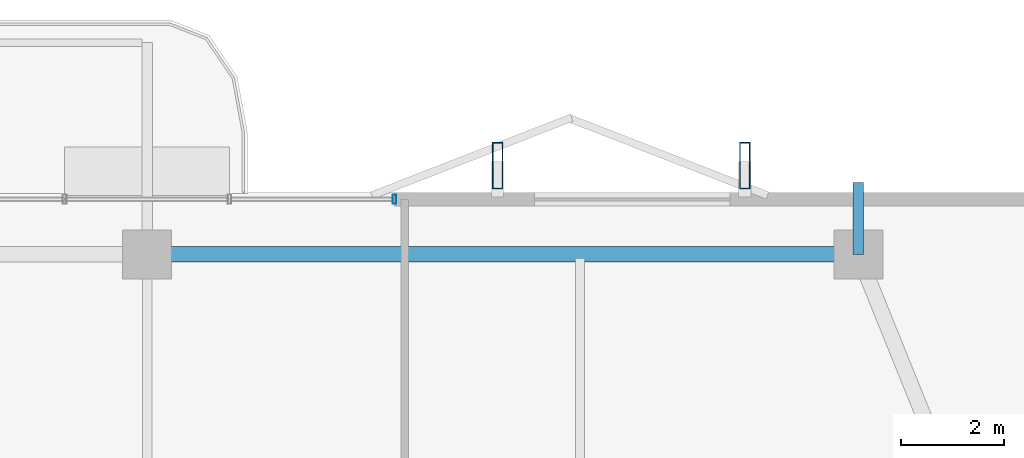
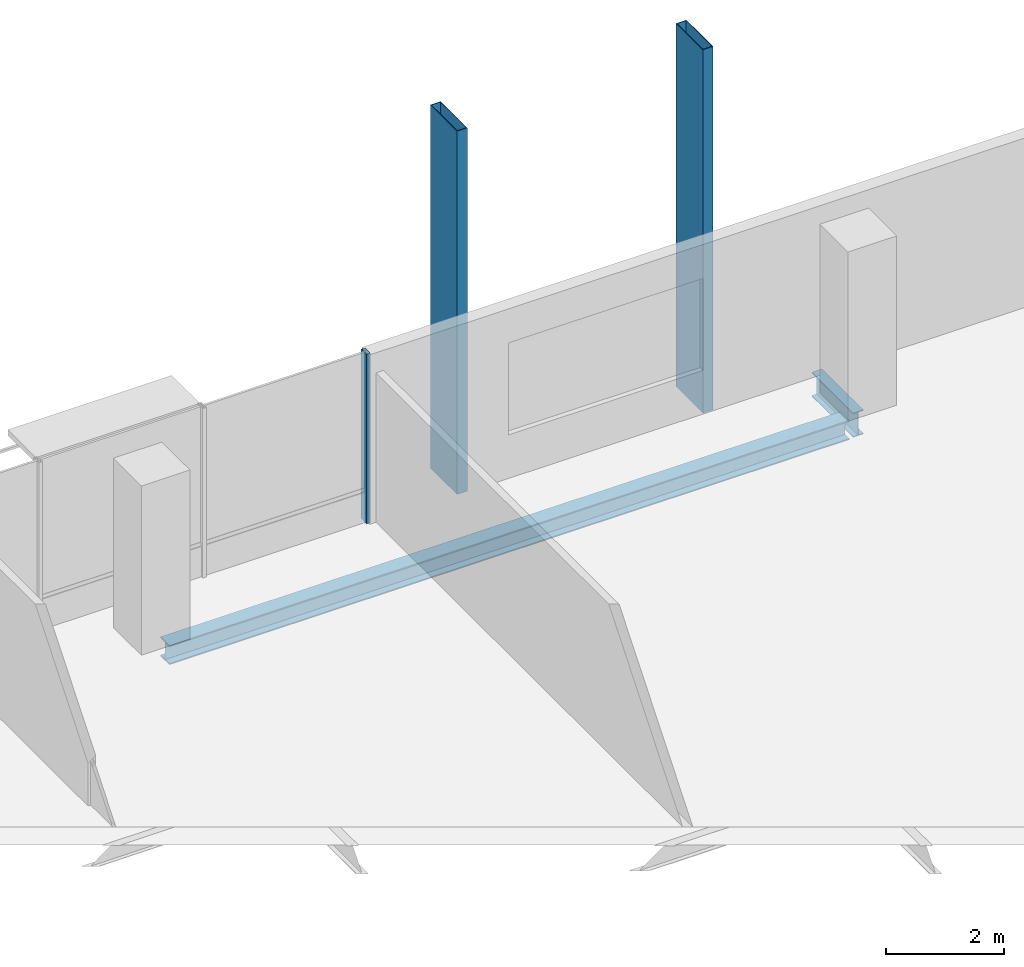
# One storey, part 16 of 25: 3 members, 2 beams, 1 element without a shape of its own.
"""IFC4 building model written with IfcOpenShell, lengths in metres."""

from ifc_helpers import new_model, si_unit, direction, frame, origin, origin_2d, place, context, subcontext, project, spatial, hollow_rectangle, i_section, extrude, material, layer, layer_set, material_profile, profile_set, type_object, element, aggregate, save


model = new_model("IFC4")

# Units and contexts
model_context = context("Model", 3, precision=1e-05, world=origin(), true_north=direction((0.0, 1.0)))
body_context = subcontext(model_context, "Body", "Model", "MODEL_VIEW")
ifc_project = project(units=[si_unit("LENGTHUNIT", "METRE"), si_unit("AREAUNIT", "SQUARE_METRE"), si_unit("VOLUMEUNIT", "CUBIC_METRE"), si_unit("PLANEANGLEUNIT", "RADIAN"), si_unit("MASSUNIT", "GRAM", prefix="KILO")], contexts=[model_context])

# Site, building, storey
site_placement = place(None, origin())
site = spatial("IfcSite", under=ifc_project, at=site_placement, CompositionType="ELEMENT")
building_placement = place(site_placement, origin())
building = spatial("IfcBuilding", under=site, at=building_placement, Name="Belovzor Exchange Tower", CompositionType="ELEMENT")
storey_placement = place(building_placement, frame((0.0, 0.0, 257.85009765625)))
storey = spatial("IfcBuildingStorey", under=building, at=storey_placement, Name="L64", CompositionType="ELEMENT", Elevation=257.85009765625)

# Beam
ifc_material_1 = material(Name="Steel S355", Category="steel")
ifc_material_profile_1 = material_profile(ifc_material_1, i_section(OverallWidth=0.199951171875, OverallDepth=0.5, WebThickness=0.01025390625, FlangeThickness=0.01611328125, at=origin_2d()))
ifc_profile_set_1 = profile_set([ifc_material_profile_1], Name="Steel S355")
beam_type_1 = type_object("IfcBeamType", Name="Planted Balcony Cantilever Beam IPE 500", PredefinedType="BEAM", material=ifc_profile_set_1)
beam_1_placement = place(storey_placement, frame((42.60009765625, 52.5, -0.5), z_axis=(0.0, 1.0, 0.0), x_axis=(-1.0, 0.0, 0.0)))
element("IfcBeam", 1, at=beam_1_placement, inside=storey, type_object=beam_type_1, Name="BC-500 Planted Balcony Cantilever Beam IPE 500", PredefinedType="BEAM", context=body_context, shape_type="SweptSolid", body=[
    extrude(i_section(OverallWidth=0.199951171875, OverallDepth=0.5, WebThickness=0.01025390625, FlangeThickness=0.01611328125, at=origin_2d()), origin(), (0.0, 0.0, 1.0), 1.39990234375),
])

# Members
ifc_material_2 = material(Name="Extruded Architectural Terracotta on Steel S355 Carrier", Category="masonry")
ifc_material_profile_2 = material_profile(ifc_material_2, hollow_rectangle(XDim=0.199951171875, YDim=0.89990234375, WallThickness=0.011962890625, at=origin_2d()))
ifc_profile_set_2 = profile_set([ifc_material_profile_2], Name="Extruded Architectural Terracotta on Steel S355 Carrier")
member_type_1 = type_object("IfcMemberType", Name="Sweeping Terracotta Baguette Fin Assembly 950", PredefinedType="USERDEFINED", material=ifc_profile_set_2)
for number, where, z_axis, x_axis, name in (
    (2, (35.60009765625, 54.22509765625, -0.25), (0.0, 0.0, 1.0), (1.0, 0.0, 0.0), "FIN-TC095 Terracotta Facade Fin L64 N3"),
    (3, (40.39990234375, 54.22509765625, -0.25), (0.0, 0.0, 1.0), (1.0, 0.0, 0.0), "FIN-TC095 Terracotta Facade Fin L64 N4"),
):
    element("IfcMember", number, at=place(storey_placement, frame(where, z_axis=z_axis, x_axis=x_axis)), inside=storey, type_object=member_type_1, Name=name, ObjectType="FIN", PredefinedType="USERDEFINED", context=body_context, shape_type="SweptSolid", body=[
        extrude(hollow_rectangle(XDim=0.199951171875, YDim=0.89990234375, WallThickness=0.011962890625, at=origin_2d()), origin(), (0.0, 0.0, 1.0), 7.5),
    ])

# Curtain wall, member
ifc_material_3 = material(Name="Anodised Aluminium Framing", Category="aluminium")
ifc_layer = layer(ifc_material_3, 0.179931640625)
ifc_layer_set = layer_set([ifc_layer], Name="Anodised Aluminium Framing")
curtain_wall_type = type_object("IfcCurtainWallType", Name="Recessed Loggia Low-Iron Triple-Glazed Curtain Wall", PredefinedType="NOTDEFINED", material=ifc_layer_set)
curtain_wall_placement = place(storey_placement, origin())
curtain_wall = element("IfcCurtainWall", 4, at=curtain_wall_placement, inside=storey, type_object=curtain_wall_type, Name="CW3 Recessed Loggia Low-Iron Triple-Glazed Curtain Wall L64", PredefinedType="NOTDEFINED")
ifc_material_4 = material(Name="Steel S355", Category="steel")
ifc_material_profile_3 = material_profile(ifc_material_4, hollow_rectangle(XDim=0.074951171875, YDim=0.179931640625, WallThickness=0.0048828125, at=origin_2d()))
ifc_profile_set_3 = profile_set([ifc_material_profile_3], Name="Steel S355")
member_type_2 = type_object("IfcMemberType", Name="Thermally Broken Curtain Wall Mullion 180x75", PredefinedType="MULLION", material=ifc_profile_set_3)
member_placement = place(storey_placement, frame((33.60009765625, 53.570068359375, 0.0), z_axis=(0.0, 0.0, 1.0), x_axis=(1.0, 0.0, 0.0)))
member = element("IfcMember", 5, at=member_placement, type_object=member_type_2, Name="CW-M180 Curtain Wall Mullion 4", PredefinedType="MULLION", context=body_context, shape_type="SweptSolid", body=[
    extrude(hollow_rectangle(XDim=0.074951171875, YDim=0.179931640625, WallThickness=0.0048828125, at=origin_2d()), origin(), (0.0, 0.0, 1.0), 3.5),
])
aggregate(curtain_wall, [member])

# Beam
ifc_material_5 = material(Name="Steel S355", Category="steel")
ifc_material_profile_4 = material_profile(ifc_material_5, i_section(OverallWidth=0.300048828125, OverallDepth=0.39990234375, WebThickness=0.013427734375, FlangeThickness=0.02392578125, at=origin_2d()))
ifc_profile_set_4 = profile_set([ifc_material_profile_4], Name="Steel S355")
beam_type_2 = type_object("IfcBeamType", Name="Zone 5 Primary Girder HEB 400", PredefinedType="BEAM", material=ifc_profile_set_4)
beam_2_placement = place(storey_placement, frame((42.339111328125, 52.5, -0.4501953125), z_axis=(-1.0, 0.0, 0.0), x_axis=(0.0, -1.0, 0.0)))
element("IfcBeam", 6, at=beam_2_placement, inside=storey, type_object=beam_type_2, Name="FG-Z5 Zone 5 Primary Girder HEB 400", PredefinedType="BEAM", context=body_context, shape_type="SweptSolid", body=[
    extrude(i_section(OverallWidth=0.300048828125, OverallDepth=0.39990234375, WebThickness=0.013427734375, FlangeThickness=0.02392578125, at=origin_2d()), origin(), (0.0, 0.0, 1.0), 13.278076171875),
])

save(model, "model.ifc")
